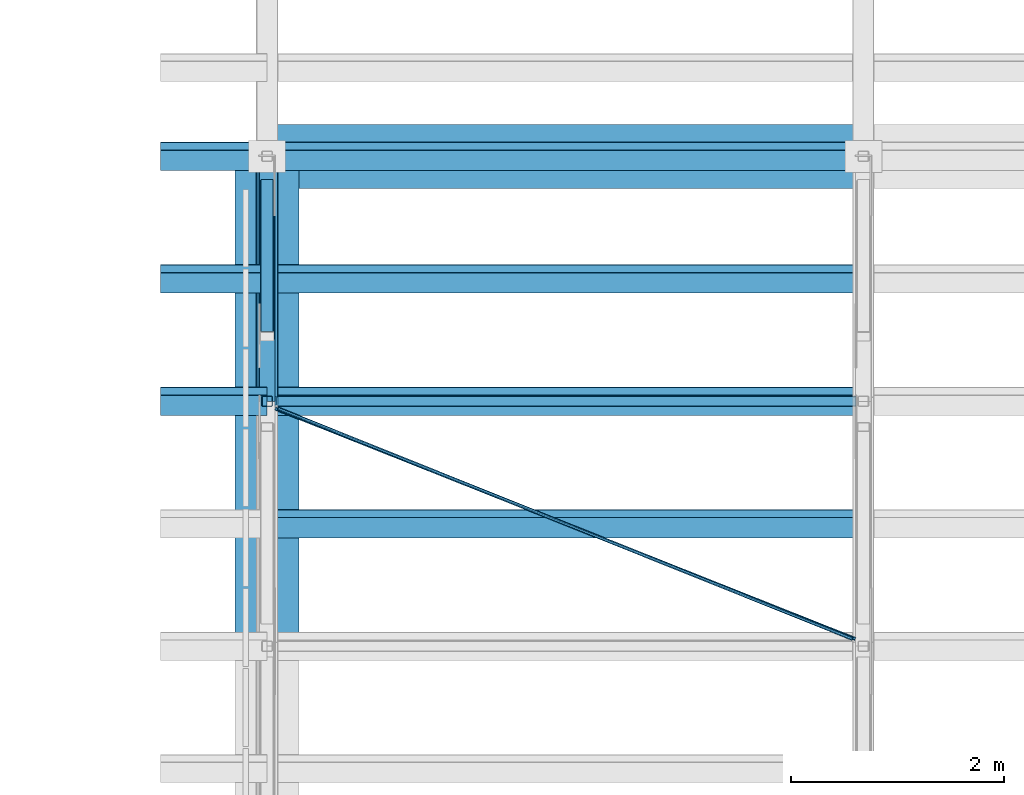
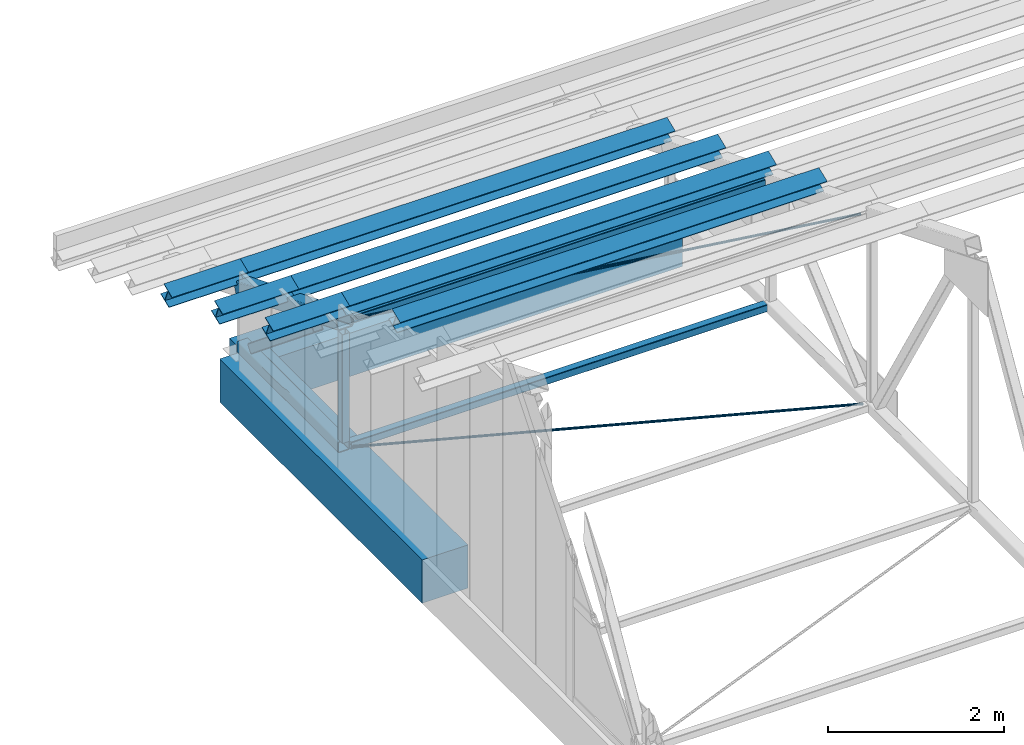
# One storey, part 11 of 71: 15 members, 2 beams.
"""IFC4 building model written with IfcOpenShell, lengths in metres."""

from ifc_helpers import new_model, si_unit, direction, frame, origin, origin_2d, place, context, subcontext, project, spatial, rectangle, hollow_rectangle, circle, i_section, extrude, material, material_profile, profile_set, type_object, element, save


model = new_model("IFC4")

# Units and contexts
model_context = context("Model", 3, precision=1e-05, world=origin(), true_north=direction((0.0, 1.0)))
body_context = subcontext(model_context, "Body", "Model", "MODEL_VIEW")
ifc_project = project(units=[si_unit("LENGTHUNIT", "METRE"), si_unit("AREAUNIT", "SQUARE_METRE"), si_unit("VOLUMEUNIT", "CUBIC_METRE"), si_unit("PLANEANGLEUNIT", "RADIAN"), si_unit("MASSUNIT", "GRAM", prefix="KILO")], contexts=[model_context])

# Site, building, storey
site_placement = place(None, origin())
site = spatial("IfcSite", under=ifc_project, at=site_placement, CompositionType="ELEMENT")
building_placement = place(site_placement, origin())
building = spatial("IfcBuilding", under=site, at=building_placement, Name="Wasatch Bagh Community Centre", CompositionType="ELEMENT")
storey_placement = place(building_placement, frame((0.0, 0.0, 12.60009765625)))
storey = spatial("IfcBuildingStorey", under=building, at=storey_placement, Name="L03", CompositionType="ELEMENT", Elevation=12.60009765625)

# Members
ifc_material_1 = material(Name="ASTM A500 Grade C steel", Category="steel")
ifc_material_profile_1 = material_profile(ifc_material_1, hollow_rectangle(XDim=0.1015625, YDim=0.1015625, WallThickness=0.005859375, InnerFilletRadius=0.005859375, OuterFilletRadius=0.01171875, at=origin_2d()), Name="HSS4x4x1/4")
ifc_profile_set_1 = profile_set([ifc_material_profile_1], Name="ASTM A500 Grade C steel")
member_type_1 = type_object("IfcMemberType", Name="SH HSS4x4x1/4 post", PredefinedType="POST", material=ifc_profile_set_1)
member_1_placement = place(storey_placement, frame((112.199951171875, 63.5, 0.76220703125), z_axis=(0.0, 0.0, 1.0), x_axis=(1.0, 0.0, 0.0)))
element("IfcMember", 1, at=member_1_placement, inside=storey, type_object=member_type_1, Name="SH.SA1.PS12", PredefinedType="POST", context=body_context, shape_type="SweptSolid", body=[
    extrude(hollow_rectangle(XDim=0.1015625, YDim=0.1015625, WallThickness=0.005859375, InnerFilletRadius=0.005859375, OuterFilletRadius=0.01171875, at=origin_2d()), origin(), (0.0, 0.0, 1.0), 1.504638671875),
])
ifc_material_profile_2 = material_profile(ifc_material_1, hollow_rectangle(XDim=0.1015625, YDim=0.1015625, WallThickness=0.005859375, InnerFilletRadius=0.005859375, OuterFilletRadius=0.01171875, at=origin_2d()), Name="HSS4x4x1/4")
ifc_profile_set_2 = profile_set([ifc_material_profile_2], Name="ASTM A500 Grade C steel")
member_type_2 = type_object("IfcMemberType", Name="SH HSS4x4x1/4 strut", PredefinedType="STRUT", material=ifc_profile_set_2)
member_2_placement = place(storey_placement, frame((112.29541015625, 63.5, 2.4296875), z_axis=(1.0, 0.0, 0.0), x_axis=(0.0, 1.0, 0.0)))
element("IfcMember", 2, at=member_2_placement, inside=storey, type_object=member_type_2, Name="SH.BR.wT.ST11E", PredefinedType="STRUT", context=body_context, shape_type="SweptSolid", body=[
    extrude(hollow_rectangle(XDim=0.1015625, YDim=0.1015625, WallThickness=0.005859375, InnerFilletRadius=0.005859375, OuterFilletRadius=0.01171875, at=origin_2d()), origin(), (0.0, 0.0, 1.0), 5.4091796875),
])
member_3_placement = place(storey_placement, frame((112.27001953125, 63.5, 0.68603515625), z_axis=(1.0, 0.0, 0.0), x_axis=(0.0, 1.0, 0.0)))
element("IfcMember", 3, at=member_3_placement, inside=storey, type_object=member_type_2, Name="SH.BR.wB.ST11E", PredefinedType="STRUT", context=body_context, shape_type="SweptSolid", body=[
    extrude(hollow_rectangle(XDim=0.1015625, YDim=0.1015625, WallThickness=0.005859375, InnerFilletRadius=0.005859375, OuterFilletRadius=0.01171875, at=origin_2d()), origin(), (0.0, 0.0, 1.0), 5.4599609375),
])
ifc_material_profile_3 = material_profile(ifc_material_1, hollow_rectangle(XDim=0.126953125, YDim=0.126953125, WallThickness=0.00732421875, InnerFilletRadius=0.00732421875, OuterFilletRadius=0.0146484375, at=origin_2d()), Name="HSS5x5x5/16")
ifc_profile_set_3 = profile_set([ifc_material_profile_3], Name="ASTM A500 Grade C steel")
member_type_3 = type_object("IfcMemberType", Name="SH HSS5x5x5/16 brace", PredefinedType="BRACE", material=ifc_profile_set_3)
member_4_placement = place(storey_placement, frame((112.199951171875, 65.541259765625, 0.81201171875), z_axis=(0.0, -0.775829568588, 0.630942533441), x_axis=(1.0, 0.0, 0.0)))
element("IfcMember", 4, at=member_4_placement, inside=storey, type_object=member_type_3, Name="SH.SA1.WB12", PredefinedType="BRACE", context=body_context, shape_type="SweptSolid", body=[
    extrude(hollow_rectangle(XDim=0.126953125, YDim=0.126953125, WallThickness=0.00732421875, InnerFilletRadius=0.00732421875, OuterFilletRadius=0.0146484375, at=origin_2d()), origin(), (0.0, 0.0, 1.0), 1.83837890625),
])
ifc_material_profile_4 = material_profile(ifc_material_1, hollow_rectangle(XDim=0.15234375, YDim=0.15234375, WallThickness=0.0087890625, InnerFilletRadius=0.0087890625, OuterFilletRadius=0.017822265625, at=origin_2d()), Name="HSS6x6x3/8")
ifc_profile_set_4 = profile_set([ifc_material_profile_4], Name="ASTM A500 Grade C steel")
member_type_4 = type_object("IfcMemberType", Name="SH HSS6x6x3/8 chord", PredefinedType="CHORD", material=ifc_profile_set_4)
member_5_placement = place(storey_placement, frame((112.199951171875, 63.5, 0.68603515625), z_axis=(0.0, 1.0, 0.0), x_axis=(-1.0, 0.0, 0.0)))
element("IfcMember", 5, at=member_5_placement, inside=storey, type_object=member_type_4, Name="SH.SA1.BC12", PredefinedType="CHORD", context=body_context, shape_type="SweptSolid", body=[
    extrude(hollow_rectangle(XDim=0.15234375, YDim=0.15234375, WallThickness=0.0087890625, InnerFilletRadius=0.0087890625, OuterFilletRadius=0.017822265625, at=origin_2d()), origin(), (0.0, 0.0, 1.0), 2.300048828125),
])
ifc_material_profile_5 = material_profile(ifc_material_1, hollow_rectangle(XDim=0.203125, YDim=0.203125, WallThickness=0.01171875, InnerFilletRadius=0.01171875, OuterFilletRadius=0.023681640625, at=origin_2d()), Name="HSS8x8x1/2")
ifc_profile_set_5 = profile_set([ifc_material_profile_5], Name="ASTM A500 Grade C steel")
member_type_5 = type_object("IfcMemberType", Name="SH HSS8x8x1/2 chord", PredefinedType="CHORD", material=ifc_profile_set_5)
member_6_placement = place(storey_placement, frame((112.199951171875, 63.50048828125, 2.429443359375), z_axis=(0.0, 0.927174106992, -0.374630718605), x_axis=(-1.0, 0.0, 0.0)))
element("IfcMember", 6, at=member_6_placement, inside=storey, type_object=member_type_5, Name="SH.SA1.TC13", PredefinedType="CHORD", context=body_context, shape_type="SweptSolid", body=[
    extrude(hollow_rectangle(XDim=0.203125, YDim=0.203125, WallThickness=0.01171875, InnerFilletRadius=0.01171875, OuterFilletRadius=0.023681640625, at=origin_2d()), origin(), (0.0, 0.0, 1.0), 2.479736328125),
])

# Beams
ifc_material_2 = material(Name="Concrete C40", Category="concrete")
ifc_material_profile_6 = material_profile(ifc_material_2, rectangle(XDim=0.60009765625, YDim=0.60009765625, at=origin_2d()), Name="RC 600x600")
ifc_profile_set_6 = profile_set([ifc_material_profile_6], Name="Concrete C40")
beam_type = type_object("IfcBeamType", Name="SH RC 600x600 beam", PredefinedType="BEAM", material=ifc_profile_set_6)
beam_1_placement = place(storey_placement, frame((112.199951171875, 65.800048828125, 0.2998046875), z_axis=(1.0, 0.0, 0.0), x_axis=(0.0, 1.0, 0.0)))
element("IfcBeam", 7, at=beam_1_placement, inside=storey, type_object=beam_type, Name="SH.beam.L03.ring07", PredefinedType="BEAM", context=body_context, shape_type="SweptSolid", body=[
    extrude(rectangle(XDim=0.60009765625, YDim=0.60009765625, at=origin_2d()), origin(), (0.0, 0.0, 1.0), 5.60009765625),
])
beam_2_placement = place(storey_placement, frame((112.199951171875, 61.199951171875, 0.2998046875), z_axis=(0.0, 1.0, 0.0), x_axis=(-1.0, 0.0, 0.0)))
element("IfcBeam", 8, at=beam_2_placement, inside=storey, type_object=beam_type, Name="SH.beam.L03.ring18", PredefinedType="BEAM", context=body_context, shape_type="SweptSolid", body=[
    extrude(rectangle(XDim=0.60009765625, YDim=0.60009765625, at=origin_2d()), origin(), (0.0, 0.0, 1.0), 4.60009765625),
])

# Members
ifc_material_3 = material(Name="ASTM A572 Grade 50 steel", Category="steel")
ifc_material_profile_7 = material_profile(ifc_material_3, circle(Radius=0.01611328125, at=origin_2d()), Name="ROD 32")
ifc_profile_set_7 = profile_set([ifc_material_profile_7], Name="ASTM A572 Grade 50 steel")
member_type_6 = type_object("IfcMemberType", Name="SH ROD 32 brace", PredefinedType="BRACE", material=ifc_profile_set_7)
member_7_placement = place(storey_placement, frame((112.3037109375, 63.43115234375, 2.457275390625), z_axis=(0.917838613984, -0.368041316735, 0.148720771435), x_axis=(0.372180247551, 0.928160472835, 0.0)))
element("IfcMember", 9, at=member_7_placement, inside=storey, type_object=member_type_6, Name="SH.BR.wT.DG11", PredefinedType="BRACE", context=body_context, shape_type="SweptSolid", body=[
    extrude(circle(Radius=0.01611328125, at=origin_2d()), origin(), (0.0, 0.0, 1.0), 5.875244140625),
])
member_8_placement = place(storey_placement, frame((112.27587890625, 63.43212890625, 0.68603515625), z_axis=(0.929355805049, -0.369185302553, 0.0), x_axis=(0.369185302553, 0.929355805049, 0.0)))
element("IfcMember", 10, at=member_8_placement, inside=storey, type_object=member_type_6, Name="SH.BR.wB.DG11", PredefinedType="BRACE", context=body_context, shape_type="SweptSolid", body=[
    extrude(circle(Radius=0.01611328125, at=origin_2d()), origin(), (0.0, 0.0, 1.0), 5.8623046875),
])
ifc_material_4 = material(Name="ASTM A992 Grade 50 steel", Category="steel")
ifc_material_profile_8 = material_profile(ifc_material_4, i_section(OverallWidth=0.203125, OverallDepth=0.203125, WebThickness=0.00732421875, FlangeThickness=0.010986328125, at=origin_2d()), Name="W8x31")
ifc_profile_set_8 = profile_set([ifc_material_profile_8], Name="ASTM A992 Grade 50 steel")
member_type_7 = type_object("IfcMemberType", Name="SH W8x31 purlin", PredefinedType="PURLIN", material=ifc_profile_set_8)
for number, where, z_axis, x_axis, name in (
    (11, (112.199951171875, 62.35009765625, 3.11328125), (1.0, 0.0, 0.0), (0.0, 0.927183854567, 0.374606593416), "SH.PUR.b1.PU25"),
    (12, (112.199951171875, 63.5, 2.648681640625), (1.0, 0.0, 0.0), (0.0, 0.927183854567, 0.374606593416), "SH.PUR.b1.PU26"),
    (13, (112.199951171875, 64.64990234375, 2.18408203125), (1.0, 0.0, 0.0), (0.0, 0.927183854567, 0.374606593416), "SH.PUR.b1.PU27"),
    (14, (112.199951171875, 65.800048828125, 1.719482421875), (1.0, 0.0, 0.0), (0.0, 0.927183854567, 0.374606593416), "SH.PUR.b1.PU28"),
):
    element("IfcMember", number, at=place(storey_placement, frame(where, z_axis=z_axis, x_axis=x_axis)), inside=storey, type_object=member_type_7, Name=name, PredefinedType="PURLIN", context=body_context, shape_type="SweptSolid", body=[
        extrude(i_section(OverallWidth=0.203125, OverallDepth=0.203125, WebThickness=0.00732421875, FlangeThickness=0.010986328125, at=origin_2d()), origin(), (0.0, 0.0, 1.0), 5.60009765625),
    ])
for number, where, z_axis, x_axis, name in (
    (15, (111.199951171875, 63.5, 2.648681640625), (1.0, 0.0, 0.0), (0.0, 0.927183854567, 0.374606593416), "SH.PUR.v1.PU26"),
    (16, (111.199951171875, 64.64990234375, 2.18408203125), (1.0, 0.0, 0.0), (0.0, 0.927183854567, 0.374606593416), "SH.PUR.v1.PU27"),
    (17, (111.199951171875, 65.800048828125, 1.719482421875), (1.0, 0.0, 0.0), (0.0, 0.927183854567, 0.374606593416), "SH.PUR.v1.PU28"),
):
    element("IfcMember", number, at=place(storey_placement, frame(where, z_axis=z_axis, x_axis=x_axis)), inside=storey, type_object=member_type_7, Name=name, PredefinedType="PURLIN", context=body_context, shape_type="SweptSolid", body=[
        extrude(i_section(OverallWidth=0.203125, OverallDepth=0.203125, WebThickness=0.00732421875, FlangeThickness=0.010986328125, at=origin_2d()), origin(), (0.0, 0.0, 1.0), 1.0),
    ])

save(model, "model.ifc")
